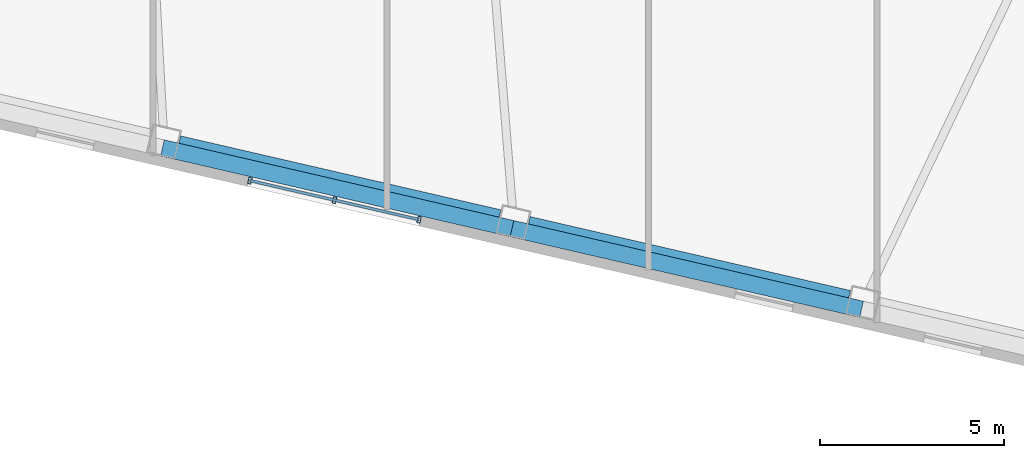
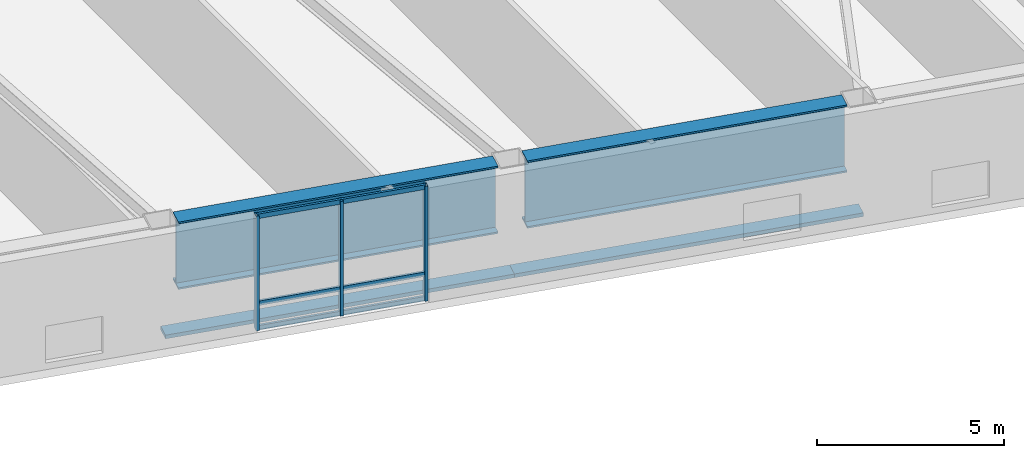
# One storey, part 4 of 20: 8 members, 2 beams, 1 element without a shape of its own.
"""IFC4 building model written with IfcOpenShell, lengths in metres."""

import ifcopenshell
import ifcopenshell.guid

model = None  # the IFC model being written
_history = None  # IfcOwnerHistory: only IFC2X3 demands one
_inside = {}  # id of a spatial element -> (the spatial element, [elements in it])
_under = {}  # id of a project, library or spatial element -> (it, [spatial elements below it])
_declared = {}  # id of a project -> (the project, [libraries it declares])
_typed = {}  # id of a type object -> (the type object, [elements of that type])
_made_of = {}  # id of a material, layer set ... -> (it, [elements and type objects made of it])


def new_model(schema):
    """Start an empty IFC model of exactly this schema.

    Asked for "IFC4X3", IfcOpenShell would pick the latest addendum, in which some entities
    have other attributes; the version numbers below select the first issue.
    IFC2X3 requires an IfcOwnerHistory on every rooted entity: one is made here for all.
    """
    global model, _history
    if schema == "IFC4X3":
        model = ifcopenshell.file(schema_version=(4, 3, 0, 0))
    else:
        model = ifcopenshell.file(schema=schema)
    _inside.clear()
    _under.clear()
    _declared.clear()
    _typed.clear()
    _made_of.clear()
    _history = None
    if model.schema == "IFC2X3":
        org = make("IfcOrganization", Name="unknown")
        user = make(
            "IfcPersonAndOrganization",
            ThePerson=make("IfcPerson", FamilyName="unknown"),
            TheOrganization=org,
        )
        app = make(
            "IfcApplication",
            ApplicationDeveloper=org,
            Version="unknown",
            ApplicationFullName="unknown",
            ApplicationIdentifier="unknown",
        )
        _history = make(
            "IfcOwnerHistory",
            OwningUser=user,
            OwningApplication=app,
            ChangeAction="ADDED",
            CreationDate=0,
        )
    return model


def make(cls, **values):
    """One entity of the class cls with the attributes given. An attribute that is None is left unset."""
    return model.create_entity(
        cls, **{name: value for name, value in values.items() if value is not None}
    )


def rooted(cls, **values):
    """An entity with a GlobalId (a new one), such as an element, a storey or a relation."""
    return make(cls, GlobalId=ifcopenshell.guid.new(), OwnerHistory=_history, **values)


def si_unit(unit_type, name, prefix=None):
    """IfcSIUnit, for example si_unit("LENGTHUNIT", "METRE", prefix="MILLI")."""
    return make("IfcSIUnit", UnitType=unit_type, Prefix=prefix, Name=name)


def assignment(units):
    """IfcUnitAssignment: the units of a project."""
    return None if units is None else make("IfcUnitAssignment", Units=units)


def point(xyz):
    """IfcCartesianPoint."""
    return None if xyz is None else make("IfcCartesianPoint", Coordinates=xyz)


def direction(xyz):
    """IfcDirection."""
    return None if xyz is None else make("IfcDirection", DirectionRatios=xyz)


def frame(location, z_axis=None, x_axis=None):
    """IfcAxis2Placement3D, a coordinate frame: its origin and axes. An axis left out is left unset."""
    return make(
        "IfcAxis2Placement3D",
        Location=point(location),
        Axis=direction(z_axis),
        RefDirection=direction(x_axis),
    )


def frame_2d(location, x_axis=None):
    """IfcAxis2Placement2D, a coordinate frame in the plane: its origin and x axis."""
    return make(
        "IfcAxis2Placement2D", Location=point(location), RefDirection=direction(x_axis)
    )


def origin():
    """The frame at (0, 0, 0) with its axes left unset."""
    return frame((0.0, 0.0, 0.0))


def origin_2d():
    """The frame at (0, 0) in the plane with its x axis left unset."""
    return frame_2d((0.0, 0.0))


def place(relative_to, where):
    """IfcLocalPlacement: puts the frame where relative to a parent placement (None: the world)."""
    return make(
        "IfcLocalPlacement", PlacementRelTo=relative_to, RelativePlacement=where
    )


def context(
    kind, dimensions, precision=None, world=None, true_north=None, identifier=None
):
    """IfcGeometricRepresentationContext, for example the 3D "Model" context."""
    return make(
        "IfcGeometricRepresentationContext",
        ContextIdentifier=identifier,
        ContextType=kind,
        CoordinateSpaceDimension=dimensions,
        Precision=precision,
        WorldCoordinateSystem=world,
        TrueNorth=true_north,
    )


def subcontext(parent, identifier, kind, view, scale=None):
    """IfcGeometricRepresentationSubContext, for example "Body" below "Model"."""
    return make(
        "IfcGeometricRepresentationSubContext",
        ContextIdentifier=identifier,
        ContextType=kind,
        ParentContext=parent,
        TargetScale=scale,
        TargetView=view,
    )


def project(units=None, contexts=None):
    """IfcProject with its units and contexts."""
    return rooted(
        "IfcProject",
        Name="project",
        RepresentationContexts=contexts,
        UnitsInContext=assignment(units),
    )


def spatial(cls, under=None, at=None, **own):
    """A site, building, storey or space (cls), placed at a placement, below another one or the project."""
    s = rooted(cls, ObjectPlacement=at, **own)
    if under is not None:
        _under.setdefault(under.id(), (under, []))[1].append(s)
    return s


def profile(cls, at=None, kind="AREA", **sizes):
    """A parametric profile (cls). Its sizes go by their IFC names, for example OverallWidth=200.0."""
    return make(cls, ProfileType=kind, Position=at, **sizes)


def rectangle(**sizes):
    """IfcRectangleProfileDef."""
    return profile("IfcRectangleProfileDef", **sizes)


def hollow_rectangle(**sizes):
    """IfcRectangleHollowProfileDef."""
    return profile("IfcRectangleHollowProfileDef", **sizes)


def i_section(**sizes):
    """IfcIShapeProfileDef."""
    return profile("IfcIShapeProfileDef", **sizes)


def extrude(swept, where, along, depth):
    """IfcExtrudedAreaSolid: the profile swept, set in the frame where, extruded along a direction by depth."""
    return make(
        "IfcExtrudedAreaSolid",
        SweptArea=swept,
        Position=where,
        ExtrudedDirection=direction(along),
        Depth=depth,
    )


def shape(context_of_items, identifier, shape_type, items):
    """IfcShapeRepresentation: the items that make up one representation, for example the "Body"."""
    return make(
        "IfcShapeRepresentation",
        ContextOfItems=context_of_items,
        RepresentationIdentifier=identifier,
        RepresentationType=shape_type,
        Items=items,
    )


def material(Name=None, Category=None):
    """IfcMaterial."""
    return make("IfcMaterial", Name=Name, Category=Category)


def layer(
    of_material, thickness, ventilated=None, Name=None, Category=None, Priority=None
):
    """IfcMaterialLayer: one layer of a wall or slab, of a material (None: an air gap)."""
    return make(
        "IfcMaterialLayer",
        Material=of_material,
        LayerThickness=thickness,
        IsVentilated=ventilated,
        Name=Name,
        Category=Category,
        Priority=Priority,
    )


def layer_set(layers, Name=None):
    """IfcMaterialLayerSet."""
    return make("IfcMaterialLayerSet", MaterialLayers=layers, LayerSetName=Name)


def material_profile(
    of_material, cross_section, Name=None, Category=None, Priority=None
):
    """IfcMaterialProfile: a cross section and its material."""
    return make(
        "IfcMaterialProfile",
        Name=Name,
        Material=of_material,
        Profile=cross_section,
        Priority=Priority,
        Category=Category,
    )


def profile_set(profiles, Name=None, composite=None):
    """IfcMaterialProfileSet."""
    return make(
        "IfcMaterialProfileSet",
        Name=Name,
        MaterialProfiles=profiles,
        CompositeProfile=composite,
    )


def made_of(thing, what):
    """Note that an element or type object is made of a material, layer set ...; save() writes the relation."""
    if what is not None:
        _made_of.setdefault(what.id(), (what, []))[1].append(thing)
    return thing


def type_object(cls, material=None, **own):
    """A type object (cls), such as IfcWallType, which elements share."""
    return made_of(rooted(cls, **own), material)


def element(
    cls,
    number,
    at=None,
    inside=None,
    cuts=None,
    type_object=None,
    material=None,
    context=None,
    identifier="Body",
    shape_type=None,
    held_by="IfcProductDefinitionShape",
    body=None,
    shapes=None,
    **own,
):
    """One element of the class cls, such as IfcWall. Its Tag is "e" and its number.

    at: its placement. inside: the storey or other place that contains it. cuts: it is an
    opening in that element (IfcRelVoidsElement). A single representation is given by context,
    identifier, shape_type and body (its items); several are given by shapes. held_by: the class
    of the entity that holds the representations. save() writes the other relations.
    """
    e = rooted(cls, Tag="e%d" % number, ObjectPlacement=at, **own)
    if body is not None:
        shapes = [shape(context, identifier, shape_type, body)]
    if shapes is not None:
        e.Representation = make(held_by, Representations=shapes)
    if inside is not None:
        _inside.setdefault(inside.id(), (inside, []))[1].append(e)
    if cuts is not None:
        rooted(
            "IfcRelVoidsElement", RelatingBuildingElement=cuts, RelatedOpeningElement=e
        )
    if type_object is not None:
        _typed.setdefault(type_object.id(), (type_object, []))[1].append(e)
    return made_of(e, material)


def aggregate(whole, parts):
    """IfcRelAggregates: a whole, such as a stair, and the parts it consists of."""
    return rooted("IfcRelAggregates", RelatingObject=whole, RelatedObjects=parts)


def save(model, path):
    """Write the relations noted so far, then the file.

    IfcRelAggregates (storeys below a building ...), IfcRelContainedInSpatialStructure (elements
    in a storey), IfcRelDefinesByType, IfcRelAssociatesMaterial and IfcRelDeclares: one each for
    every whole, place, type object, material and project.
    """
    for whole, parts in _under.values():
        aggregate(whole, parts)
    for where, things in _inside.values():
        rooted(
            "IfcRelContainedInSpatialStructure",
            RelatedElements=things,
            RelatingStructure=where,
        )
    for kind, things in _typed.values():
        rooted("IfcRelDefinesByType", RelatedObjects=things, RelatingType=kind)
    for what, things in _made_of.values():
        rooted("IfcRelAssociatesMaterial", RelatedObjects=things, RelatingMaterial=what)
    for by, libraries in _declared.values():
        rooted("IfcRelDeclares", RelatingContext=by, RelatedDefinitions=libraries)
    model.write(path)


model = new_model("IFC4")

# Units and contexts
model_context = context("Model", 3, precision=1e-05, world=origin(), true_north=direction((0.0, 1.0)))
body_context = subcontext(model_context, "Body", "Model", "MODEL_VIEW")
ifc_project = project(units=[si_unit("LENGTHUNIT", "METRE"), si_unit("AREAUNIT", "SQUARE_METRE"), si_unit("VOLUMEUNIT", "CUBIC_METRE"), si_unit("PLANEANGLEUNIT", "RADIAN"), si_unit("MASSUNIT", "GRAM", prefix="KILO")], contexts=[model_context])

# Site, building, storey
site_placement = place(None, origin())
site = spatial("IfcSite", under=ifc_project, at=site_placement, CompositionType="ELEMENT")
building_placement = place(site_placement, origin())
building = spatial("IfcBuilding", under=site, at=building_placement, Name="Tavrogorsk Clinical Tower", CompositionType="ELEMENT")
storey_placement = place(building_placement, frame((0.0, 0.0, 39.39990234375)))
storey = spatial("IfcBuildingStorey", under=building, at=storey_placement, Name="L07", CompositionType="ELEMENT", Elevation=39.39990234375)

# Members
ifc_material_1 = material(Name="Anodised aluminium alloy AW-6063", Category="aluminium")
ifc_material_profile_1 = material_profile(ifc_material_1, rectangle(XDim=0.449951171875, YDim=0.1201171875, at=origin_2d()), Name="ALU-SUNSHADE-450x120")
ifc_profile_set_1 = profile_set([ifc_material_profile_1], Name="Anodised aluminium alloy AW-6063")
member_type_1 = type_object("IfcMemberType", Name="ChicagoSunshade_450x120", PredefinedType="USERDEFINED", material=ifc_profile_set_1)
member_1_placement = place(storey_placement, frame((-3.296875, -27.353271484375, 0.18017578125), z_axis=(0.97437219846, -0.224941812182, 0.0), x_axis=(0.224941812182, 0.97437219846, 0.0)))
element("IfcMember", 1, at=member_1_placement, inside=storey, type_object=member_type_1, Name="L07 South Aluminium Sunshade S5", ObjectType="SUNSHADE", PredefinedType="USERDEFINED", context=body_context, shape_type="SweptSolid", body=[
    extrude(rectangle(XDim=0.449951171875, YDim=0.1201171875, at=origin_2d()), origin(), (0.0, 0.0, 1.0), 9.74853515625),
])
member_2_placement = place(storey_placement, frame((6.201904296875, -29.546142578125, 0.18017578125), z_axis=(0.974370931236, -0.2249473013, 0.0), x_axis=(0.2249473013, 0.974370931236, 0.0)))
element("IfcMember", 2, at=member_2_placement, inside=storey, type_object=member_type_1, Name="L07 South Aluminium Sunshade S6", ObjectType="SUNSHADE", PredefinedType="USERDEFINED", context=body_context, shape_type="SweptSolid", body=[
    extrude(rectangle(XDim=0.449951171875, YDim=0.1201171875, at=origin_2d()), origin(), (0.0, 0.0, 1.0), 9.748291015625),
])

# Curtain wall, members
ifc_material_2 = material(Name="Anodised aluminium and triple IGU glazing", Category="aluminium")
ifc_layer = layer(ifc_material_2, 0.179931640625)
ifc_layer_set = layer_set([ifc_layer], Name="Anodised aluminium and triple IGU glazing")
curtain_wall_type = type_object("IfcCurtainWallType", Name="CW3_SouthSlot", PredefinedType="NOTDEFINED", material=ifc_layer_set)
curtain_wall_placement = place(storey_placement, origin())
curtain_wall = element("IfcCurtainWall", 3, at=curtain_wall_placement, inside=storey, type_object=curtain_wall_type, Name="L07 Curtain Wall CW-L07-S-SLOT-2", PredefinedType="NOTDEFINED")
ifc_material_3 = material(Name="Anodised aluminium alloy AW-6060", Category="aluminium")
ifc_material_profile_2 = material_profile(ifc_material_3, hollow_rectangle(XDim=0.090087890625, YDim=0.179931640625, WallThickness=0.00634765625, at=origin_2d()), Name="RHS-180x90x6.3")
ifc_profile_set_2 = profile_set([ifc_material_profile_2], Name="Anodised aluminium alloy AW-6060")
member_type_2 = type_object("IfcMemberType", Name="CwMullion_180x90", PredefinedType="MULLION", material=ifc_profile_set_2)
member_3_placement = place(storey_placement, frame((-0.92041015625, -28.240478515625, 0.0), z_axis=(0.0, 0.0, 1.0), x_axis=(0.974370102963, -0.224950888978, 0.0)))
member_3 = element("IfcMember", 4, at=member_3_placement, type_object=member_type_2, Name="CW-L07-S-SLOT-2 Mullion 1", PredefinedType="MULLION", context=body_context, shape_type="SweptSolid", body=[
    extrude(hollow_rectangle(XDim=0.090087890625, YDim=0.179931640625, WallThickness=0.00634765625, at=origin_2d()), origin(), (0.0, 0.0, 1.0), 3.739990234375),
])
member_4_placement = place(storey_placement, frame((1.378173828125, -28.771240234375, 0.0), z_axis=(0.0, 0.0, 1.0), x_axis=(0.974370102963, -0.224950888978, 0.0)))
member_4 = element("IfcMember", 5, at=member_4_placement, type_object=member_type_2, Name="CW-L07-S-SLOT-2 Mullion 2", PredefinedType="MULLION", context=body_context, shape_type="SweptSolid", body=[
    extrude(hollow_rectangle(XDim=0.090087890625, YDim=0.179931640625, WallThickness=0.00634765625, at=origin_2d()), origin(), (0.0, 0.0, 1.0), 3.739990234375),
])
member_5_placement = place(storey_placement, frame((3.6767578125, -29.3017578125, 0.0), z_axis=(0.0, 0.0, 1.0), x_axis=(0.974370102963, -0.224950888978, 0.0)))
member_5 = element("IfcMember", 6, at=member_5_placement, type_object=member_type_2, Name="CW-L07-S-SLOT-2 Mullion 3", PredefinedType="MULLION", context=body_context, shape_type="SweptSolid", body=[
    extrude(hollow_rectangle(XDim=0.090087890625, YDim=0.179931640625, WallThickness=0.00634765625, at=origin_2d()), origin(), (0.0, 0.0, 1.0), 3.739990234375),
])
ifc_material_4 = material(Name="Anodised aluminium alloy AW-6060", Category="aluminium")
ifc_material_profile_3 = material_profile(ifc_material_4, hollow_rectangle(XDim=0.074951171875, YDim=0.14990234375, WallThickness=0.0048828125, at=origin_2d()), Name="RHS-150x75x5")
ifc_profile_set_3 = profile_set([ifc_material_profile_3], Name="Anodised aluminium alloy AW-6060")
member_type_3 = type_object("IfcMemberType", Name="CwTransom_150x75", PredefinedType="USERDEFINED", material=ifc_profile_set_3)
member_6_placement = place(storey_placement, frame((-0.92041015625, -28.240478515625, 0.050048828125), z_axis=(0.974372877948, -0.22493886885, 0.0), x_axis=(0.22493886885, 0.974372877948, 0.0)))
member_6 = element("IfcMember", 7, at=member_6_placement, type_object=member_type_3, Name="CW-L07-S-SLOT-2 Transom 1", ObjectType="TRANSOM", PredefinedType="USERDEFINED", context=body_context, shape_type="SweptSolid", body=[
    extrude(hollow_rectangle(XDim=0.074951171875, YDim=0.14990234375, WallThickness=0.0048828125, at=origin_2d()), origin(), (0.0, 0.0, 1.0), 4.718017578125),
])
member_7_placement = place(storey_placement, frame((-0.92041015625, -28.240478515625, 0.85009765625), z_axis=(0.974372877948, -0.22493886885, 0.0), x_axis=(0.22493886885, 0.974372877948, 0.0)))
member_7 = element("IfcMember", 8, at=member_7_placement, type_object=member_type_3, Name="CW-L07-S-SLOT-2 Transom 2", ObjectType="TRANSOM", PredefinedType="USERDEFINED", context=body_context, shape_type="SweptSolid", body=[
    extrude(hollow_rectangle(XDim=0.074951171875, YDim=0.14990234375, WallThickness=0.0048828125, at=origin_2d()), origin(), (0.0, 0.0, 1.0), 4.718017578125),
])
member_8_placement = place(storey_placement, frame((-0.92041015625, -28.240478515625, 3.690185546875), z_axis=(0.974372877948, -0.22493886885, 0.0), x_axis=(0.22493886885, 0.974372877948, 0.0)))
member_8 = element("IfcMember", 9, at=member_8_placement, type_object=member_type_3, Name="CW-L07-S-SLOT-2 Transom 3", ObjectType="TRANSOM", PredefinedType="USERDEFINED", context=body_context, shape_type="SweptSolid", body=[
    extrude(hollow_rectangle(XDim=0.074951171875, YDim=0.14990234375, WallThickness=0.0048828125, at=origin_2d()), origin(), (0.0, 0.0, 1.0), 4.718017578125),
])
aggregate(curtain_wall, [member_3, member_4, member_5, member_6, member_7, member_8])

# Beams
ifc_material_5 = material(Name="Structural steel S440", Category="steel")
ifc_material_profile_4 = material_profile(ifc_material_5, i_section(OverallWidth=0.5, OverallDepth=2.199951171875, WebThickness=0.035888671875, FlangeThickness=0.054931640625, at=origin_2d()), Name="DK-2200x500x36x55")
ifc_profile_set_4 = profile_set([ifc_material_profile_4], Name="Structural steel S440")
beam_type = type_object("IfcBeamType", Name="TransferGirder_DK2200", PredefinedType="USERDEFINED", material=ifc_profile_set_4)
for number, where, z_axis, x_axis, name in (
    (10, (-2.85888671875, -27.26953125, 2.64013671875), (0.974372766602, -0.224939351168, 0.0), (0.224939351168, 0.974372766602, 0.0), "L07 Perimeter Spandrel S5-S6"),
    (11, (6.639892578125, -29.46240234375, 2.64013671875), (0.974366775889, -0.224965299645, 0.0), (0.224965299645, 0.974366775889, 0.0), "L07 Perimeter Spandrel S6-S7"),
):
    element("IfcBeam", number, at=place(storey_placement, frame(where, z_axis=z_axis, x_axis=x_axis)), inside=storey, type_object=beam_type, Name=name, ObjectType="GIRDER", PredefinedType="USERDEFINED", context=body_context, shape_type="SweptSolid", body=[
        extrude(i_section(OverallWidth=0.5, OverallDepth=2.199951171875, WebThickness=0.035888671875, FlangeThickness=0.054931640625, at=origin_2d()), origin(), (0.0, 0.0, 1.0), 8.9326171875),
    ])

save(model, "model.ifc")
